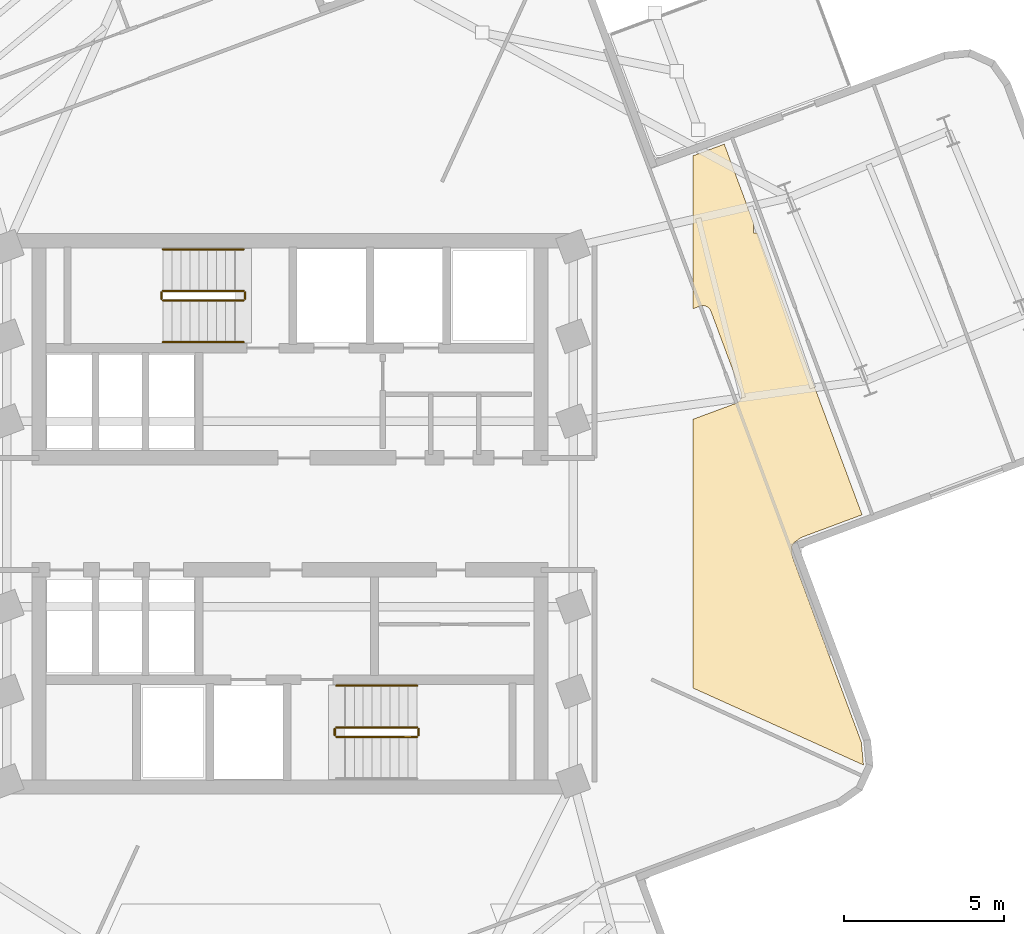
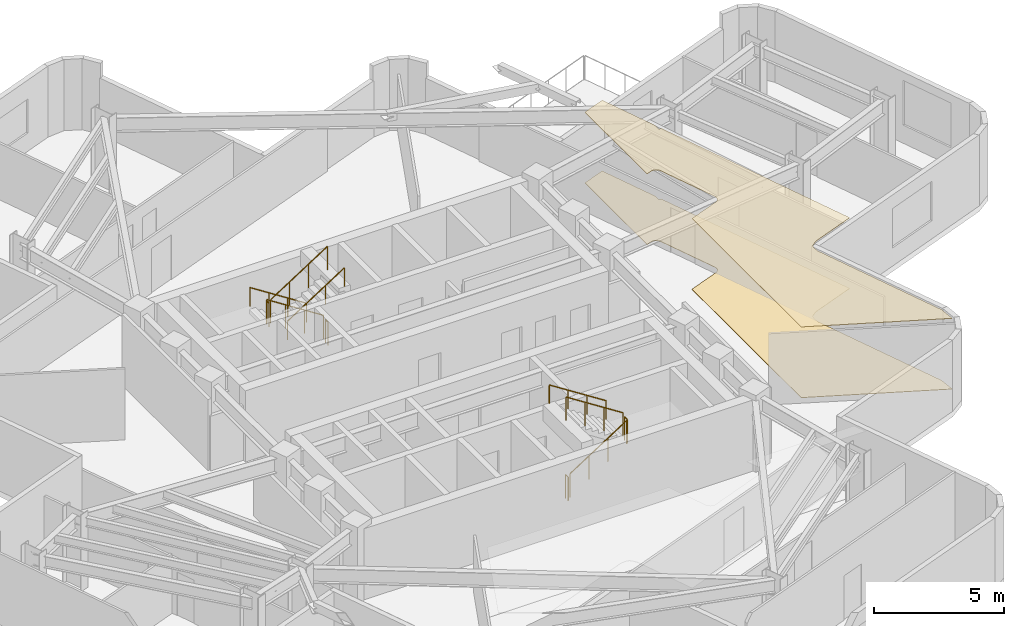
# One storey, part 7 of 8: 11 railings, 2 coverings.
"""IFC4 building model written with IfcOpenShell, lengths in metres."""

from ifc_helpers import new_model, si_unit, direction, frame, origin, origin_2d, place, context, subcontext, project, spatial, polyline, circle, outline, extrude, material, layer, layer_set, type_object, element, save


model = new_model("IFC4")

# Units and contexts
model_context = context("Model", 3, precision=1e-05, world=origin(), true_north=direction((0.0, 1.0)))
body_context = subcontext(model_context, "Body", "Model", "MODEL_VIEW")
ifc_project = project(units=[si_unit("LENGTHUNIT", "METRE"), si_unit("AREAUNIT", "SQUARE_METRE"), si_unit("VOLUMEUNIT", "CUBIC_METRE"), si_unit("PLANEANGLEUNIT", "RADIAN"), si_unit("MASSUNIT", "GRAM", prefix="KILO")], contexts=[model_context])

# Site, building, storey
site_placement = place(None, origin())
site = spatial("IfcSite", under=ifc_project, at=site_placement, CompositionType="ELEMENT")
building_placement = place(site_placement, origin())
building = spatial("IfcBuilding", under=site, at=building_placement, Name="Solmarez Civic Tower", CompositionType="ELEMENT")
storey_placement = place(building_placement, frame((0.0, 0.0, 166.679931640625)))
storey = spatial("IfcBuildingStorey", under=building, at=storey_placement, Name="L44", CompositionType="ELEMENT", Elevation=166.679931640625)

# Coverings
ifc_material_1 = material(Name="Perforated Mineral-Fibre Acoustic Ceiling")
ifc_layer_1 = layer(ifc_material_1, 0.02490234375)
ifc_layer_set_1 = layer_set([ifc_layer_1], Name="Perforated Mineral-Fibre Acoustic Ceiling")
covering_type_1 = type_object("IfcCoveringType", Name="COV-CEIL-ACOUSTIC", PredefinedType="CEILING", material=ifc_layer_set_1)
covering_1_placement = place(storey_placement, frame((0.0, 0.0, 3.315185546875)))
element("IfcCovering", 1, at=covering_1_placement, inside=storey, type_object=covering_type_1, Name="L44 Suspended Acoustic Ceiling 2", PredefinedType="CEILING", context=body_context, shape_type="SweptSolid", body=[
    extrude(outline(polyline([(12.60009765625, 11.194091796875), (12.60009765625, 6.4140625), (12.81396484375, 6.492919921875), (12.8310546875, 6.4990234375), (12.847900390625, 6.5029296875), (12.85302734375, 6.50390625), (12.85791015625, 6.5048828125), (12.87890625, 6.508056640625), (12.90087890625, 6.509033203125), (12.910888671875, 6.509033203125), (12.93505859375, 6.508056640625), (12.9580078125, 6.50390625), (12.98095703125, 6.498046875), (12.989990234375, 6.4951171875), (13.001953125, 6.489990234375), (13.007080078125, 6.488037109375), (13.02294921875, 6.48095703125), (13.031005859375, 6.47705078125), (13.052001953125, 6.465087890625), (13.071044921875, 6.450927734375), (13.089111328125, 6.43603515625), (13.093017578125, 6.431884765625), (13.10009765625, 6.425048828125), (13.115966796875, 6.406005859375), (13.131103515625, 6.385986328125), (13.135986328125, 6.3779296875), (13.14501953125, 6.361083984375), (13.153076171875, 6.343017578125), (13.155029296875, 6.337890625), (13.156982421875, 6.3330078125), (14.10009765625, 3.799072265625), (14.10595703125, 3.781982421875), (14.110107421875, 3.764892578125), (14.111083984375, 3.760009765625), (14.112060546875, 3.7548828125), (14.114990234375, 3.73388671875), (14.115966796875, 3.7119140625), (14.115966796875, 3.701904296875), (14.114990234375, 3.677978515625), (14.111083984375, 3.655029296875), (14.10498046875, 3.632080078125), (14.10205078125, 3.623046875), (14.096923828125, 3.611083984375), (14.094970703125, 3.60595703125), (14.087890625, 3.590087890625), (14.083984375, 3.58203125), (14.074951171875, 3.56494140625), (14.06396484375, 3.550048828125), (14.052978515625, 3.534912109375), (14.0458984375, 3.527099609375), (14.030029296875, 3.510986328125), (14.011962890625, 3.49609375), (14.008056640625, 3.492919921875), (13.992919921875, 3.48193359375), (13.985107421875, 3.47705078125), (13.968017578125, 3.468017578125), (13.949951171875, 3.4599609375), (13.945068359375, 3.4580078125), (13.93994140625, 3.4560546875), (12.60009765625, 2.9580078125), (12.60009765625, -5.444091796875), (17.919921875, -7.845947265625), (17.923095703125, -7.839111328125), (17.85693359375, -7.134033203125), (15.718994140625, -1.385009765625), (15.714111328125, -1.373046875), (15.70703125, -1.35009765625), (15.701904296875, -1.326904296875), (15.700927734375, -1.320068359375), (15.699951171875, -1.31298828125), (15.698974609375, -1.302001953125), (15.68310546875, -1.135009765625), (15.68310546875, -1.1298828125), (15.680908203125, -1.112060546875), (15.680908203125, -1.093994140625), (15.68310546875, -1.075927734375), (15.68408203125, -1.06396484375), (15.68505859375, -1.056884765625), (15.68994140625, -1.034912109375), (15.69189453125, -1.027099609375), (15.693115234375, -1.02001953125), (15.695068359375, -1.012939453125), (15.705078125, -0.986083984375), (15.7080078125, -0.97900390625), (15.717041015625, -0.9609375), (15.72705078125, -0.944091796875), (15.735107421875, -0.931884765625), (15.7490234375, -0.9130859375), (15.75390625, -0.906982421875), (15.76708984375, -0.89208984375), (15.781982421875, -0.87890625), (15.7880859375, -0.8740234375), (15.7939453125, -0.868896484375), (15.806884765625, -0.85888671875), (15.947021484375, -0.759033203125), (15.952880859375, -0.7548828125), (15.958984375, -0.7509765625), (15.98291015625, -0.737060546875), (15.989013671875, -0.73388671875), (16.0, -0.72900390625), (16.007080078125, -0.72607421875), (16.01708984375, -0.721923828125), (17.881103515625, -0.028076171875), (14.60498046875, 8.782958984375), (14.493896484375, 8.782958984375), (14.493896484375, 9.0810546875), (13.572998046875, 11.555908203125), (12.60009765625, 11.194091796875)])), origin(), (0.0, 0.0, 1.0), 0.02490234375),
])
ifc_material_2 = material(Name="Polished Tropical Stone Terrazzo Flooring", Category="masonry")
ifc_layer_2 = layer(ifc_material_2, 0.02001953125)
ifc_layer_set_2 = layer_set([ifc_layer_2], Name="Polished Tropical Stone Terrazzo Flooring")
covering_type_2 = type_object("IfcCoveringType", Name="COV-FLOOR-TERRAZZO", PredefinedType="FLOORING", material=ifc_layer_set_2)
covering_2_placement = place(storey_placement, origin())
element("IfcCovering", 2, at=covering_2_placement, inside=storey, type_object=covering_type_2, Name="L44 Terrazzo Floor Finish 2", PredefinedType="FLOORING", context=body_context, shape_type="SweptSolid", body=[
    extrude(outline(polyline([(12.60009765625, 11.194091796875), (12.60009765625, 6.4140625), (12.81396484375, 6.492919921875), (12.8310546875, 6.4990234375), (12.847900390625, 6.5029296875), (12.85302734375, 6.50390625), (12.85791015625, 6.5048828125), (12.87890625, 6.508056640625), (12.90087890625, 6.509033203125), (12.910888671875, 6.509033203125), (12.93505859375, 6.508056640625), (12.9580078125, 6.50390625), (12.98095703125, 6.498046875), (12.989990234375, 6.4951171875), (13.001953125, 6.489990234375), (13.007080078125, 6.488037109375), (13.02294921875, 6.48095703125), (13.031005859375, 6.47705078125), (13.052001953125, 6.465087890625), (13.071044921875, 6.450927734375), (13.089111328125, 6.43603515625), (13.093017578125, 6.431884765625), (13.10009765625, 6.425048828125), (13.115966796875, 6.406005859375), (13.131103515625, 6.385986328125), (13.135986328125, 6.3779296875), (13.14501953125, 6.361083984375), (13.153076171875, 6.343017578125), (13.155029296875, 6.337890625), (13.156982421875, 6.3330078125), (14.10009765625, 3.799072265625), (14.10595703125, 3.781982421875), (14.110107421875, 3.764892578125), (14.111083984375, 3.760009765625), (14.112060546875, 3.7548828125), (14.114990234375, 3.73388671875), (14.115966796875, 3.7119140625), (14.115966796875, 3.701904296875), (14.114990234375, 3.677978515625), (14.111083984375, 3.655029296875), (14.10498046875, 3.632080078125), (14.10205078125, 3.623046875), (14.096923828125, 3.611083984375), (14.094970703125, 3.60595703125), (14.087890625, 3.590087890625), (14.083984375, 3.58203125), (14.074951171875, 3.56494140625), (14.06396484375, 3.550048828125), (14.052978515625, 3.534912109375), (14.0458984375, 3.527099609375), (14.030029296875, 3.510986328125), (14.011962890625, 3.49609375), (14.008056640625, 3.492919921875), (13.992919921875, 3.48193359375), (13.985107421875, 3.47705078125), (13.968017578125, 3.468017578125), (13.949951171875, 3.4599609375), (13.945068359375, 3.4580078125), (13.93994140625, 3.4560546875), (12.60009765625, 2.9580078125), (12.60009765625, -5.444091796875), (17.919921875, -7.845947265625), (17.923095703125, -7.839111328125), (17.85693359375, -7.134033203125), (15.718994140625, -1.385009765625), (15.714111328125, -1.373046875), (15.70703125, -1.35009765625), (15.701904296875, -1.326904296875), (15.700927734375, -1.320068359375), (15.699951171875, -1.31298828125), (15.698974609375, -1.302001953125), (15.68310546875, -1.135009765625), (15.68310546875, -1.1298828125), (15.680908203125, -1.112060546875), (15.680908203125, -1.093994140625), (15.68310546875, -1.075927734375), (15.68408203125, -1.06396484375), (15.68505859375, -1.056884765625), (15.68994140625, -1.034912109375), (15.69189453125, -1.027099609375), (15.693115234375, -1.02001953125), (15.695068359375, -1.012939453125), (15.705078125, -0.986083984375), (15.7080078125, -0.97900390625), (15.717041015625, -0.9609375), (15.72705078125, -0.944091796875), (15.735107421875, -0.931884765625), (15.7490234375, -0.9130859375), (15.75390625, -0.906982421875), (15.76708984375, -0.89208984375), (15.781982421875, -0.87890625), (15.7880859375, -0.8740234375), (15.7939453125, -0.868896484375), (15.806884765625, -0.85888671875), (15.947021484375, -0.759033203125), (15.952880859375, -0.7548828125), (15.958984375, -0.7509765625), (15.98291015625, -0.737060546875), (15.989013671875, -0.73388671875), (16.0, -0.72900390625), (16.007080078125, -0.72607421875), (16.01708984375, -0.721923828125), (17.881103515625, -0.028076171875), (14.60498046875, 8.782958984375), (14.493896484375, 8.782958984375), (14.493896484375, 9.0810546875), (13.572998046875, 11.555908203125), (12.60009765625, 11.194091796875)])), origin(), (0.0, 0.0, 1.0), 0.02001953125),
])

# Railings
ifc_material_3 = material(Name="Painted Steel Stairwell Safety Guard", Category="steel")
railing_type_1 = type_object("IfcRailingType", Name="GUARD-STAIR-1120", PredefinedType="BALUSTRADE", material=ifc_material_3)
railing_1_placement = place(storey_placement, frame((-1.449951171875, 6.969970703125, 0.18017578125)))
element("IfcRailing", 3, at=railing_1_placement, inside=storey, type_object=railing_type_1, Name="L44 ST-1 stair guard 1", PredefinedType="BALUSTRADE", context=body_context, shape_type="SweptSolid", body=[
    extrude(circle(Radius=0.02392578125, at=origin_2d()), frame((0.0, 0.0, 1.09619140625), z_axis=(-0.841199657755, 0.0, 0.540724639528), x_axis=(0.0, -1.0, 0.0)), (0.0, 0.0, 1.0), 2.995849609375),
    extrude(circle(Radius=0.02099609375, at=origin_2d()), origin(), (0.0, 0.0, 1.0), 1.072021484375),
    extrude(circle(Radius=0.02099609375, at=origin_2d()), frame((-0.840087890625, 0.0, 0.5400390625)), (0.0, 0.0, 1.0), 1.072021484375),
    extrude(circle(Radius=0.02099609375, at=origin_2d()), frame((-1.679931640625, 0.0, 1.079833984375)), (0.0, 0.0, 1.0), 1.072021484375),
    extrude(circle(Radius=0.02099609375, at=origin_2d()), frame((-2.52001953125, 0.0, 1.619873046875)), (0.0, 0.0, 1.0), 1.072021484375),
])
railing_2_placement = place(storey_placement, frame((-4.02001953125, 6.919921875, 1.800048828125)))
element("IfcRailing", 4, at=railing_2_placement, inside=storey, type_object=railing_type_1, Name="L44 ST-1 stair guard 2", PredefinedType="BALUSTRADE", context=body_context, shape_type="SweptSolid", body=[
    extrude(circle(Radius=0.02392578125, at=origin_2d()), frame((0.0, 0.0, 1.09619140625), z_axis=(0.0, -1.0, 0.0), x_axis=(1.0, 0.0, 0.0)), (0.0, 0.0, 1.0), 0.199951171875),
    extrude(circle(Radius=0.02099609375, at=origin_2d()), origin(), (0.0, 0.0, 1.0), 1.072021484375),
    extrude(circle(Radius=0.02099609375, at=origin_2d()), frame((0.0, -0.199951171875, 0.0)), (0.0, 0.0, 1.0), 1.072021484375),
])
railing_3_placement = place(storey_placement, frame((-3.969970703125, 6.669921875, 1.97998046875)))
element("IfcRailing", 5, at=railing_3_placement, inside=storey, type_object=railing_type_1, Name="L44 ST-1 stair guard 3", PredefinedType="BALUSTRADE", context=body_context, shape_type="SweptSolid", body=[
    extrude(circle(Radius=0.02392578125, at=origin_2d()), frame((0.0, 0.0, 1.09619140625), z_axis=(0.841162588446, 0.0, 0.540782303519), x_axis=(0.0, 1.0, 0.0)), (0.0, 0.0, 1.0), 2.995849609375),
    extrude(circle(Radius=0.02099609375, at=origin_2d()), origin(), (0.0, 0.0, 1.0), 1.072021484375),
    extrude(circle(Radius=0.02099609375, at=origin_2d()), frame((0.840087890625, 0.0, 0.5400390625)), (0.0, 0.0, 1.0), 1.072021484375),
    extrude(circle(Radius=0.02099609375, at=origin_2d()), frame((1.679931640625, 0.0, 1.080078125)), (0.0, 0.0, 1.0), 1.072021484375),
    extrude(circle(Radius=0.02099609375, at=origin_2d()), frame((2.52001953125, 0.0, 1.6201171875)), (0.0, 0.0, 1.0), 1.072021484375),
])
railing_4_placement = place(storey_placement, frame((-1.39990234375, 6.919921875, 0.0)))
element("IfcRailing", 6, at=railing_4_placement, inside=storey, type_object=railing_type_1, Name="L44 ST-1 stair guard 4", PredefinedType="BALUSTRADE", context=body_context, shape_type="SweptSolid", body=[
    extrude(circle(Radius=0.02392578125, at=origin_2d()), frame((0.0, 0.0, 1.09619140625), z_axis=(0.0, -1.0, 0.0), x_axis=(1.0, 0.0, 0.0)), (0.0, 0.0, 1.0), 0.199951171875),
    extrude(circle(Radius=0.02099609375, at=origin_2d()), origin(), (0.0, 0.0, 1.0), 1.072021484375),
    extrude(circle(Radius=0.02099609375, at=origin_2d()), frame((0.0, -0.199951171875, 0.0)), (0.0, 0.0, 1.0), 1.072021484375),
])
railing_5_placement = place(storey_placement, frame((1.449951171875, -6.969970703125, 0.18017578125)))
element("IfcRailing", 7, at=railing_5_placement, inside=storey, type_object=railing_type_1, Name="L44 ST-2 stair guard 1", PredefinedType="BALUSTRADE", context=body_context, shape_type="SweptSolid", body=[
    extrude(circle(Radius=0.02392578125, at=origin_2d()), frame((0.0, 0.0, 1.09619140625), z_axis=(0.841199657755, 0.0, 0.540724639528), x_axis=(0.0, 1.0, 0.0)), (0.0, 0.0, 1.0), 2.995849609375),
    extrude(circle(Radius=0.02099609375, at=origin_2d()), origin(), (0.0, 0.0, 1.0), 1.072021484375),
    extrude(circle(Radius=0.02099609375, at=origin_2d()), frame((0.840087890625, 0.0, 0.5400390625)), (0.0, 0.0, 1.0), 1.072021484375),
    extrude(circle(Radius=0.02099609375, at=origin_2d()), frame((1.679931640625, 0.0, 1.079833984375)), (0.0, 0.0, 1.0), 1.072021484375),
    extrude(circle(Radius=0.02099609375, at=origin_2d()), frame((2.52001953125, 0.0, 1.619873046875)), (0.0, 0.0, 1.0), 1.072021484375),
])
railing_6_placement = place(storey_placement, frame((4.02001953125, -6.919921875, 1.800048828125)))
element("IfcRailing", 8, at=railing_6_placement, inside=storey, type_object=railing_type_1, Name="L44 ST-2 stair guard 2", PredefinedType="BALUSTRADE", context=body_context, shape_type="SweptSolid", body=[
    extrude(circle(Radius=0.02392578125, at=origin_2d()), frame((0.0, 0.0, 1.09619140625), z_axis=(0.0, 1.0, 0.0), x_axis=(-1.0, 0.0, 0.0)), (0.0, 0.0, 1.0), 0.199951171875),
    extrude(circle(Radius=0.02099609375, at=origin_2d()), origin(), (0.0, 0.0, 1.0), 1.072021484375),
    extrude(circle(Radius=0.02099609375, at=origin_2d()), frame((0.0, 0.199951171875, 0.0)), (0.0, 0.0, 1.0), 1.072021484375),
])
railing_7_placement = place(storey_placement, frame((3.969970703125, -6.669921875, 1.97998046875)))
element("IfcRailing", 9, at=railing_7_placement, inside=storey, type_object=railing_type_1, Name="L44 ST-2 stair guard 3", PredefinedType="BALUSTRADE", context=body_context, shape_type="SweptSolid", body=[
    extrude(circle(Radius=0.02392578125, at=origin_2d()), frame((0.0, 0.0, 1.09619140625), z_axis=(-0.841162588446, 0.0, 0.540782303519), x_axis=(0.0, -1.0, 0.0)), (0.0, 0.0, 1.0), 2.995849609375),
    extrude(circle(Radius=0.02099609375, at=origin_2d()), origin(), (0.0, 0.0, 1.0), 1.072021484375),
    extrude(circle(Radius=0.02099609375, at=origin_2d()), frame((-0.840087890625, 0.0, 0.5400390625)), (0.0, 0.0, 1.0), 1.072021484375),
    extrude(circle(Radius=0.02099609375, at=origin_2d()), frame((-1.679931640625, 0.0, 1.080078125)), (0.0, 0.0, 1.0), 1.072021484375),
    extrude(circle(Radius=0.02099609375, at=origin_2d()), frame((-2.52001953125, 0.0, 1.6201171875)), (0.0, 0.0, 1.0), 1.072021484375),
])
railing_8_placement = place(storey_placement, frame((1.39990234375, -6.919921875, 0.0)))
element("IfcRailing", 10, at=railing_8_placement, inside=storey, type_object=railing_type_1, Name="L44 ST-2 stair guard 4", PredefinedType="BALUSTRADE", context=body_context, shape_type="SweptSolid", body=[
    extrude(circle(Radius=0.02392578125, at=origin_2d()), frame((0.0, 0.0, 1.09619140625), z_axis=(0.0, 1.0, 0.0), x_axis=(-1.0, 0.0, 0.0)), (0.0, 0.0, 1.0), 0.199951171875),
    extrude(circle(Radius=0.02099609375, at=origin_2d()), origin(), (0.0, 0.0, 1.0), 1.072021484375),
    extrude(circle(Radius=0.02099609375, at=origin_2d()), frame((0.0, 0.199951171875, 0.0)), (0.0, 0.0, 1.0), 1.072021484375),
])
ifc_material_4 = material(Name="Brushed Stainless Steel Tube Handrail", Category="steel")
railing_type_2 = type_object("IfcRailingType", Name="HANDRAIL-STAIR-900", PredefinedType="HANDRAIL", material=ifc_material_4)
railing_9_placement = place(storey_placement, frame((-1.449951171875, 8.27001953125, 0.18017578125)))
element("IfcRailing", 11, at=railing_9_placement, inside=storey, type_object=railing_type_2, Name="L44 ST-1 stair handrail 1", PredefinedType="HANDRAIL", context=body_context, shape_type="SweptSolid", body=[
    extrude(circle(Radius=0.02392578125, at=origin_2d()), frame((0.0, 0.0, 0.8759765625), z_axis=(-0.841199657755, 0.0, 0.540724639528), x_axis=(0.0, -1.0, 0.0)), (0.0, 0.0, 1.0), 2.995849609375),
    extrude(circle(Radius=0.02099609375, at=origin_2d()), origin(), (0.0, 0.0, 1.0), 0.851806640625),
    extrude(circle(Radius=0.02099609375, at=origin_2d()), frame((-0.840087890625, 0.0, 0.5400390625)), (0.0, 0.0, 1.0), 0.851806640625),
    extrude(circle(Radius=0.02099609375, at=origin_2d()), frame((-1.679931640625, 0.0, 1.079833984375)), (0.0, 0.0, 1.0), 0.851806640625),
    extrude(circle(Radius=0.02099609375, at=origin_2d()), frame((-2.52001953125, 0.0, 1.619873046875)), (0.0, 0.0, 1.0), 0.851806640625),
])
railing_10_placement = place(storey_placement, frame((-3.969970703125, 5.3701171875, 1.97998046875)))
element("IfcRailing", 12, at=railing_10_placement, inside=storey, type_object=railing_type_2, Name="L44 ST-1 stair handrail 2", PredefinedType="HANDRAIL", context=body_context, shape_type="SweptSolid", body=[
    extrude(circle(Radius=0.02392578125, at=origin_2d()), frame((0.0, 0.0, 0.8759765625), z_axis=(0.841162588446, 0.0, 0.540782303519), x_axis=(0.0, 1.0, 0.0)), (0.0, 0.0, 1.0), 2.995849609375),
    extrude(circle(Radius=0.02099609375, at=origin_2d()), origin(), (0.0, 0.0, 1.0), 0.851806640625),
    extrude(circle(Radius=0.02099609375, at=origin_2d()), frame((0.840087890625, 0.0, 0.5400390625)), (0.0, 0.0, 1.0), 0.851806640625),
    extrude(circle(Radius=0.02099609375, at=origin_2d()), frame((1.679931640625, 0.0, 1.080078125)), (0.0, 0.0, 1.0), 0.851806640625),
    extrude(circle(Radius=0.02099609375, at=origin_2d()), frame((2.52001953125, 0.0, 1.6201171875)), (0.0, 0.0, 1.0), 0.851806640625),
])
railing_11_placement = place(storey_placement, frame((3.969970703125, -5.3701171875, 1.97998046875)))
element("IfcRailing", 13, at=railing_11_placement, inside=storey, type_object=railing_type_2, Name="L44 ST-2 stair handrail 2", PredefinedType="HANDRAIL", context=body_context, shape_type="SweptSolid", body=[
    extrude(circle(Radius=0.02392578125, at=origin_2d()), frame((0.0, 0.0, 0.8759765625), z_axis=(-0.841162588446, 0.0, 0.540782303519), x_axis=(0.0, -1.0, 0.0)), (0.0, 0.0, 1.0), 2.995849609375),
    extrude(circle(Radius=0.02099609375, at=origin_2d()), origin(), (0.0, 0.0, 1.0), 0.851806640625),
    extrude(circle(Radius=0.02099609375, at=origin_2d()), frame((-0.840087890625, 0.0, 0.5400390625)), (0.0, 0.0, 1.0), 0.851806640625),
    extrude(circle(Radius=0.02099609375, at=origin_2d()), frame((-1.679931640625, 0.0, 1.080078125)), (0.0, 0.0, 1.0), 0.851806640625),
    extrude(circle(Radius=0.02099609375, at=origin_2d()), frame((-2.52001953125, 0.0, 1.6201171875)), (0.0, 0.0, 1.0), 0.851806640625),
])

save(model, "model.ifc")
